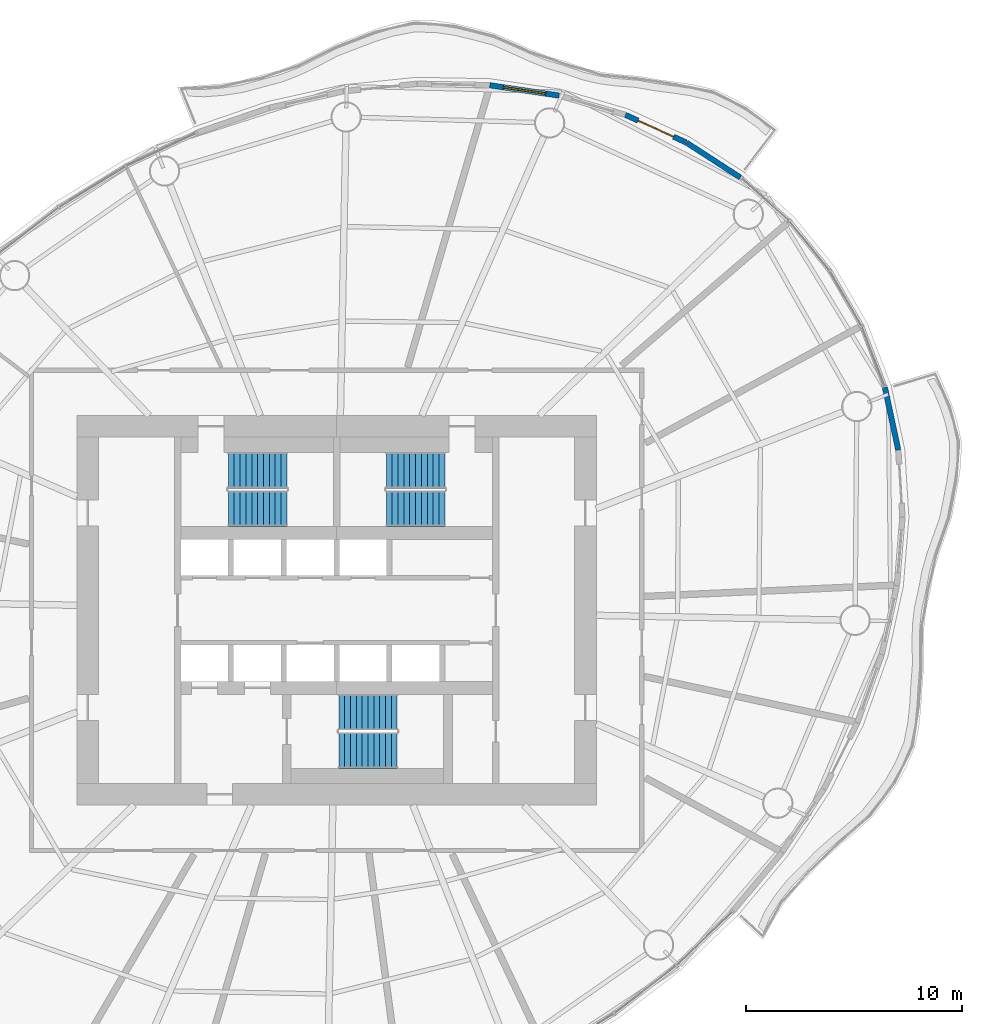
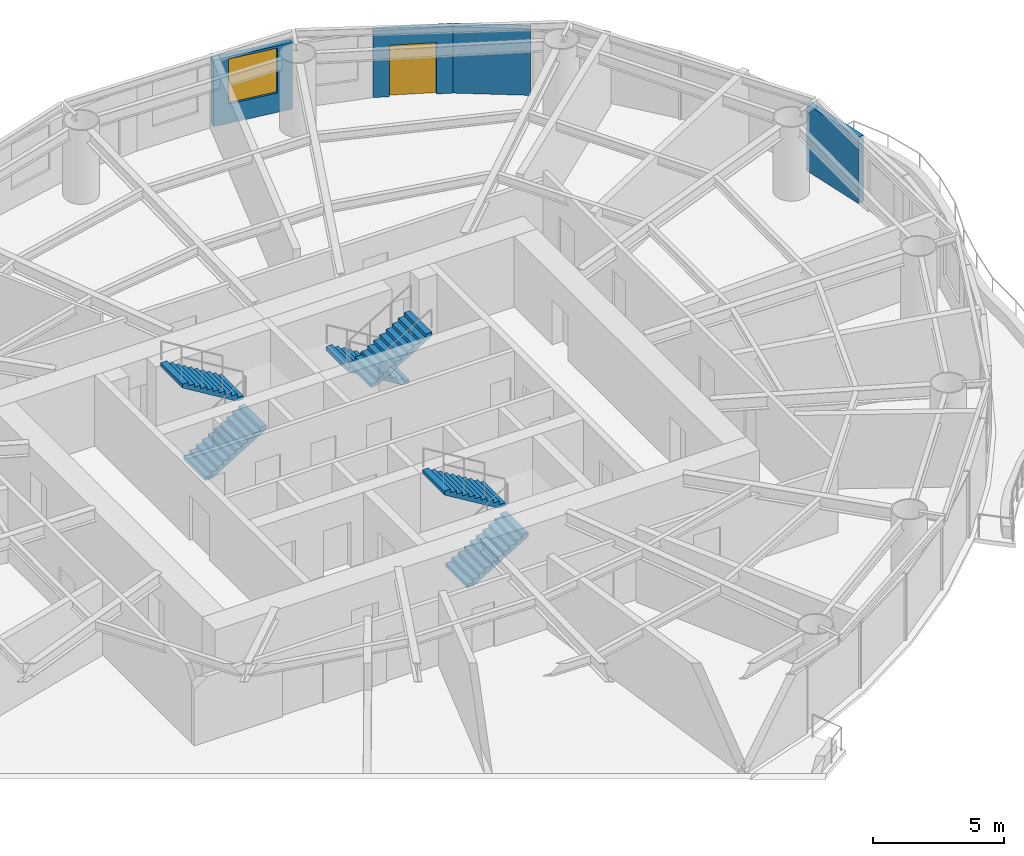
# One storey, part 11 of 14: 6 stair flights, 4 walls, 1 door, 1 window, 2 openings, 3 elements without a shape of their own.
"""IFC4 building model written with IfcOpenShell, lengths in metres."""

from ifc_helpers import new_model, si_unit, direction, frame, frame_2d, origin, place, context, subcontext, project, spatial, polyline, rectangle, outline, extrude, material, layer, layer_set, type_object, element, fill, aggregate, save


model = new_model("IFC4")

# Units and contexts
model_context = context("Model", 3, precision=1e-05, world=origin(), true_north=direction((0.0, 1.0)))
body_context = subcontext(model_context, "Body", "Model", "MODEL_VIEW")
ifc_project = project(units=[si_unit("LENGTHUNIT", "METRE"), si_unit("AREAUNIT", "SQUARE_METRE"), si_unit("VOLUMEUNIT", "CUBIC_METRE"), si_unit("PLANEANGLEUNIT", "RADIAN"), si_unit("MASSUNIT", "GRAM", prefix="KILO")], contexts=[model_context])

# Site, building, storey
site_placement = place(None, origin())
site = spatial("IfcSite", under=ifc_project, at=site_placement, CompositionType="ELEMENT")
building_placement = place(site_placement, origin())
building = spatial("IfcBuilding", under=site, at=building_placement, Name="Vermilion Reach Broadcast Tower", CompositionType="ELEMENT")
storey_placement = place(building_placement, frame((0.0, 0.0, 172.199951171875)))
storey = spatial("IfcBuildingStorey", under=building, at=storey_placement, Name="L41", CompositionType="ELEMENT", Elevation=172.199951171875)

# Wall
ifc_material_1 = material(Name="Terracotta rainscreen cladding", Category="masonry")
ifc_layer = layer(ifc_material_1, 0.25)
ifc_layer_set = layer_set([ifc_layer], Name="Terracotta rainscreen wall 250")
wall_type = type_object("IfcWallType", Name="Terracotta rainscreen wall 250", PredefinedType="SOLIDWALL", material=ifc_layer_set)
wall_1_placement = place(storey_placement, frame((12.655029296875, 20.00146484375, 0.0), z_axis=(0.0, 0.0, 1.0), x_axis=(-0.839240151474, 0.543760947617, 0.0)))
element("IfcWall", 1, at=wall_1_placement, inside=storey, type_object=wall_type, Name="External wall L41 02", PredefinedType="SOLIDWALL", context=body_context, shape_type="SweptSolid", body=[
    extrude(rectangle(XDim=2.958740234375, YDim=0.25, at=frame_2d((1.4794921875, 0.0))), origin(), (0.0, 0.0, 1.0), 3.10009765625),
])

# Wall, opening, door
wall_2_placement = place(storey_placement, frame((10.1484375, 21.623046875, 0.0), z_axis=(0.0, 0.0, 1.0), x_axis=(-0.910690505436, 0.41308934059, 0.0)))
wall_2 = element("IfcWall", 2, at=wall_2_placement, inside=storey, type_object=wall_type, Name="External wall L41 03", PredefinedType="SOLIDWALL", context=body_context, shape_type="SweptSolid", body=[
    extrude(rectangle(XDim=3.06787109375, YDim=0.25, at=frame_2d((1.533935546875, 0.0))), origin(), (0.0, 0.0, 1.0), 3.10009765625),
])
opening_1_placement = place(wall_2_placement, frame((0.634033203125, 0.0, 0.0)))
opening_1 = element("IfcOpeningElement", 3, at=opening_1_placement, cuts=wall_2, Name="Opening D70", PredefinedType="OPENING", context=body_context, shape_type="SweptSolid", body=[
    extrude(rectangle(XDim=1.800048828125, YDim=2.39990234375, at=frame_2d((0.89990234375, 1.199951171875))), frame((0.0, 0.135009765625, 0.0), z_axis=(0.0, -1.0, 0.0), x_axis=(1.0, 0.0, 0.0)), (0.0, 0.0, 1.0), 0.27001953125),
])
ifc_material_2 = material(Name="Low-e laminated clear glass in aluminium frame", Category="aluminium")
door_type = type_object("IfcDoorType", Name="Balcony sliding door 1800 x 2400", OperationType="DOUBLE_DOOR_SLIDING", PredefinedType="DOOR", material=ifc_material_2)
door_placement = place(opening_1_placement, origin())
door = element("IfcDoor", 4, at=door_placement, inside=storey, type_object=door_type, Name="Balcony door L41 run 01", OperationType="DOUBLE_DOOR_SLIDING", OverallHeight=2.39990234375, OverallWidth=1.800048828125, PredefinedType="DOOR", context=body_context, shape_type="SweptSolid", body=[
    extrude(rectangle(XDim=1.800048828125, YDim=2.39990234375, at=frame_2d((0.89990234375, 1.199951171875))), frame((0.0, 0.02490234375, 0.0), z_axis=(0.0, -1.0, 0.0), x_axis=(1.0, 0.0, 0.0)), (0.0, 0.0, 1.0), 0.050048828125),
])
fill(opening_1, door)

# Wall, opening, window
wall_3_placement = place(storey_placement, frame((4.282470703125, 23.78564453125, 0.0), z_axis=(0.0, 0.0, 1.0), x_axis=(-0.989016413264, 0.147805731605, 0.0)))
wall_3 = element("IfcWall", 5, at=wall_3_placement, inside=storey, type_object=wall_type, Name="External wall L41 05", PredefinedType="SOLIDWALL", context=body_context, shape_type="SweptSolid", body=[
    extrude(rectangle(XDim=3.237548828125, YDim=0.25, at=frame_2d((1.61865234375, 0.0))), origin(), (0.0, 0.0, 1.0), 3.10009765625),
])
opening_2_placement = place(wall_3_placement, frame((0.61865234375, 0.0, 0.89990234375)))
opening_2 = element("IfcOpeningElement", 6, at=opening_2_placement, cuts=wall_3, Name="Opening W03", PredefinedType="OPENING", context=body_context, shape_type="SweptSolid", body=[
    extrude(rectangle(XDim=2.0, YDim=2.10009765625, at=frame_2d((1.0, 1.050048828125))), frame((0.0, 0.135009765625, 0.0), z_axis=(0.0, -1.0, 0.0), x_axis=(1.0, 0.0, 0.0)), (0.0, 0.0, 1.0), 0.27001953125),
])
ifc_material_3 = material(Name="Low-e laminated clear glass in aluminium frame", Category="aluminium")
window_type = type_object("IfcWindowType", Name="Punched window 2000 x 2100 sill 900", PartitioningType="SINGLE_PANEL", PredefinedType="WINDOW", material=ifc_material_3)
window_placement = place(opening_2_placement, origin())
window = element("IfcWindow", 7, at=window_placement, inside=storey, type_object=window_type, Name="Window L41 05", OverallHeight=2.10009765625, OverallWidth=2.0, PartitioningType="SINGLE_PANEL", PredefinedType="WINDOW", context=body_context, shape_type="SweptSolid", body=[
    extrude(rectangle(XDim=2.0, YDim=2.10009765625, at=frame_2d((1.0, 1.050048828125))), frame((0.0, 0.030029296875, 0.0), z_axis=(0.0, -1.0, 0.0), x_axis=(1.0, 0.0, 0.0)), (0.0, 0.0, 1.0), 0.06005859375),
])
fill(opening_2, window)

# Wall
wall_4_placement = place(storey_placement, frame((19.954833984375, 7.40771484375, 0.0), z_axis=(0.0, 0.0, 1.0), x_axis=(-0.208841558972, 0.977949489108, 0.0)))
element("IfcWall", 8, at=wall_4_placement, inside=storey, type_object=wall_type, Name="External wall L41 45", PredefinedType="SOLIDWALL", context=body_context, shape_type="SweptSolid", body=[
    extrude(rectangle(XDim=2.958740234375, YDim=0.25, at=frame_2d((1.4794921875, 0.0))), origin(), (0.0, 0.0, 1.0), 3.10009765625),
])

# Stair, stair flights
ifc_material_4 = material(Name="Concrete C40", Category="concrete")
stair_type = type_object("IfcStairType", Name="Exit stair RC 22 risers 164 mm", PredefinedType="HALF_TURN_STAIR", material=ifc_material_4)
placement = place(storey_placement, origin())
stair_1 = element("IfcStair", 9, at=placement, inside=storey, type_object=stair_type, Name="L41 Exit stair ST1", PredefinedType="HALF_TURN_STAIR")
ifc_material_5 = material(Name="Concrete C40", Category="concrete")
stair_flight_type = type_object("IfcStairFlightType", Name="Exit stair flight RC 11 risers", PredefinedType="STRAIGHT", material=ifc_material_5)
stair_flight_1_placement = place(storey_placement, frame((-11.0, 4.7099609375, 0.0), z_axis=(0.0, 0.0, 1.0), x_axis=(1.0, 0.0, 0.0)))
stair_flight_1 = element("IfcStairFlight", 10, at=stair_flight_1_placement, type_object=stair_flight_type, Name="ST1 flight 1", NumberOfRisers=11, NumberOfTreads=10, PredefinedType="STRAIGHT", RiserHeight=0.163636364, TreadLength=0.27, context=body_context, shape_type="SweptSolid", body=[
    extrude(outline(polyline([(0.0, 0.0), (0.0, 0.16357421875), (0.27001953125, 0.16357421875), (0.27001953125, 0.327392578125), (0.5400390625, 0.327392578125), (0.5400390625, 0.490966796875), (0.81005859375, 0.490966796875), (0.81005859375, 0.654541015625), (1.080078125, 0.654541015625), (1.080078125, 0.818115234375), (1.35009765625, 0.818115234375), (1.35009765625, 0.98193359375), (1.6201171875, 0.98193359375), (1.6201171875, 1.1455078125), (1.889892578125, 1.1455078125), (1.889892578125, 1.30908203125), (2.159912109375, 1.30908203125), (2.159912109375, 1.47265625), (2.429931640625, 1.47265625), (2.429931640625, 1.636474609375), (2.699951171875, 1.636474609375), (2.699951171875, 1.800048828125), (2.699951171875, 1.461181640625), (0.289306640625, 0.0), (0.0, 0.0)])), frame((0.0, 0.830078125, 0.0), z_axis=(0.0, -1.0, 0.0), x_axis=(1.0, 0.0, 0.0)), (0.0, 0.0, 1.0), 1.659912109375),
])
stair_flight_2_placement = place(storey_placement, frame((-8.300048828125, 6.469970703125, 1.800048828125), z_axis=(0.0, 0.0, 1.0), x_axis=(-1.0, 0.0, 0.0)))
stair_flight_2 = element("IfcStairFlight", 11, at=stair_flight_2_placement, type_object=stair_flight_type, Name="ST1 flight 2", NumberOfRisers=11, NumberOfTreads=10, PredefinedType="STRAIGHT", RiserHeight=0.163636364, TreadLength=0.27, context=body_context, shape_type="SweptSolid", body=[
    extrude(outline(polyline([(0.0, 0.0), (0.0, 0.16357421875), (0.27001953125, 0.16357421875), (0.27001953125, 0.327392578125), (0.5400390625, 0.327392578125), (0.5400390625, 0.490966796875), (0.81005859375, 0.490966796875), (0.81005859375, 0.654541015625), (1.080078125, 0.654541015625), (1.080078125, 0.818115234375), (1.35009765625, 0.818115234375), (1.35009765625, 0.98193359375), (1.6201171875, 0.98193359375), (1.6201171875, 1.1455078125), (1.889892578125, 1.1455078125), (1.889892578125, 1.30908203125), (2.159912109375, 1.30908203125), (2.159912109375, 1.47265625), (2.429931640625, 1.47265625), (2.429931640625, 1.636474609375), (2.699951171875, 1.636474609375), (2.699951171875, 1.800048828125), (2.699951171875, 1.461181640625), (0.289306640625, 0.0), (0.0, 0.0)])), frame((0.0, 0.830078125, 0.0), z_axis=(0.0, -1.0, 0.0), x_axis=(1.0, 0.0, 0.0)), (0.0, 0.0, 1.0), 1.659912109375),
])
aggregate(stair_1, [stair_flight_1, stair_flight_2])

stair_2 = element("IfcStair", 12, at=placement, inside=storey, type_object=stair_type, Name="L41 Exit stair ST2", PredefinedType="HALF_TURN_STAIR")
stair_flight_3_placement = place(storey_placement, frame((-1.0, 6.469970703125, 0.0), z_axis=(0.0, 0.0, 1.0), x_axis=(-1.0, 0.0, 0.0)))
stair_flight_3 = element("IfcStairFlight", 13, at=stair_flight_3_placement, type_object=stair_flight_type, Name="ST2 flight 1", NumberOfRisers=11, NumberOfTreads=10, PredefinedType="STRAIGHT", RiserHeight=0.163636364, TreadLength=0.27, context=body_context, shape_type="SweptSolid", body=[
    extrude(outline(polyline([(0.0, 0.0), (0.0, 0.16357421875), (0.27001953125, 0.16357421875), (0.27001953125, 0.327392578125), (0.5400390625, 0.327392578125), (0.5400390625, 0.490966796875), (0.81005859375, 0.490966796875), (0.81005859375, 0.654541015625), (1.080078125, 0.654541015625), (1.080078125, 0.818115234375), (1.35009765625, 0.818115234375), (1.35009765625, 0.98193359375), (1.6201171875, 0.98193359375), (1.6201171875, 1.1455078125), (1.889892578125, 1.1455078125), (1.889892578125, 1.30908203125), (2.159912109375, 1.30908203125), (2.159912109375, 1.47265625), (2.429931640625, 1.47265625), (2.429931640625, 1.636474609375), (2.699951171875, 1.636474609375), (2.699951171875, 1.800048828125), (2.699951171875, 1.461181640625), (0.289306640625, 0.0), (0.0, 0.0)])), frame((0.0, 0.830078125, 0.0), z_axis=(0.0, -1.0, 0.0), x_axis=(1.0, 0.0, 0.0)), (0.0, 0.0, 1.0), 1.659912109375),
])
stair_flight_4_placement = place(storey_placement, frame((-3.699951171875, 4.7099609375, 1.800048828125), z_axis=(0.0, 0.0, 1.0), x_axis=(1.0, 0.0, 0.0)))
stair_flight_4 = element("IfcStairFlight", 14, at=stair_flight_4_placement, type_object=stair_flight_type, Name="ST2 flight 2", NumberOfRisers=11, NumberOfTreads=10, PredefinedType="STRAIGHT", RiserHeight=0.163636364, TreadLength=0.27, context=body_context, shape_type="SweptSolid", body=[
    extrude(outline(polyline([(0.0, 0.0), (0.0, 0.16357421875), (0.27001953125, 0.16357421875), (0.27001953125, 0.327392578125), (0.5400390625, 0.327392578125), (0.5400390625, 0.490966796875), (0.81005859375, 0.490966796875), (0.81005859375, 0.654541015625), (1.080078125, 0.654541015625), (1.080078125, 0.818115234375), (1.35009765625, 0.818115234375), (1.35009765625, 0.98193359375), (1.6201171875, 0.98193359375), (1.6201171875, 1.1455078125), (1.889892578125, 1.1455078125), (1.889892578125, 1.30908203125), (2.159912109375, 1.30908203125), (2.159912109375, 1.47265625), (2.429931640625, 1.47265625), (2.429931640625, 1.636474609375), (2.699951171875, 1.636474609375), (2.699951171875, 1.800048828125), (2.699951171875, 1.461181640625), (0.289306640625, 0.0), (0.0, 0.0)])), frame((0.0, 0.830078125, 0.0), z_axis=(0.0, -1.0, 0.0), x_axis=(1.0, 0.0, 0.0)), (0.0, 0.0, 1.0), 1.659912109375),
])
aggregate(stair_2, [stair_flight_3, stair_flight_4])

stair_3 = element("IfcStair", 15, at=placement, inside=storey, type_object=stair_type, Name="L41 Exit stair ST3", PredefinedType="HALF_TURN_STAIR")
stair_flight_5_placement = place(storey_placement, frame((-5.89990234375, -6.469970703125, 0.0), z_axis=(0.0, 0.0, 1.0), x_axis=(1.0, 0.0, 0.0)))
stair_flight_5 = element("IfcStairFlight", 16, at=stair_flight_5_placement, type_object=stair_flight_type, Name="ST3 flight 1", NumberOfRisers=11, NumberOfTreads=10, PredefinedType="STRAIGHT", RiserHeight=0.163636364, TreadLength=0.27, context=body_context, shape_type="SweptSolid", body=[
    extrude(outline(polyline([(0.0, 0.0), (0.0, 0.16357421875), (0.27001953125, 0.16357421875), (0.27001953125, 0.327392578125), (0.5400390625, 0.327392578125), (0.5400390625, 0.490966796875), (0.81005859375, 0.490966796875), (0.81005859375, 0.654541015625), (1.080078125, 0.654541015625), (1.080078125, 0.818115234375), (1.35009765625, 0.818115234375), (1.35009765625, 0.98193359375), (1.6201171875, 0.98193359375), (1.6201171875, 1.1455078125), (1.889892578125, 1.1455078125), (1.889892578125, 1.30908203125), (2.159912109375, 1.30908203125), (2.159912109375, 1.47265625), (2.429931640625, 1.47265625), (2.429931640625, 1.636474609375), (2.699951171875, 1.636474609375), (2.699951171875, 1.800048828125), (2.699951171875, 1.461181640625), (0.289306640625, 0.0), (0.0, 0.0)])), frame((0.0, 0.830078125, 0.0), z_axis=(0.0, -1.0, 0.0), x_axis=(1.0, 0.0, 0.0)), (0.0, 0.0, 1.0), 1.659912109375),
])
stair_flight_6_placement = place(storey_placement, frame((-3.199951171875, -4.7099609375, 1.800048828125), z_axis=(0.0, 0.0, 1.0), x_axis=(-1.0, 0.0, 0.0)))
stair_flight_6 = element("IfcStairFlight", 17, at=stair_flight_6_placement, type_object=stair_flight_type, Name="ST3 flight 2", NumberOfRisers=11, NumberOfTreads=10, PredefinedType="STRAIGHT", RiserHeight=0.163636364, TreadLength=0.27, context=body_context, shape_type="SweptSolid", body=[
    extrude(outline(polyline([(0.0, 0.0), (0.0, 0.16357421875), (0.27001953125, 0.16357421875), (0.27001953125, 0.327392578125), (0.5400390625, 0.327392578125), (0.5400390625, 0.490966796875), (0.81005859375, 0.490966796875), (0.81005859375, 0.654541015625), (1.080078125, 0.654541015625), (1.080078125, 0.818115234375), (1.35009765625, 0.818115234375), (1.35009765625, 0.98193359375), (1.6201171875, 0.98193359375), (1.6201171875, 1.1455078125), (1.889892578125, 1.1455078125), (1.889892578125, 1.30908203125), (2.159912109375, 1.30908203125), (2.159912109375, 1.47265625), (2.429931640625, 1.47265625), (2.429931640625, 1.636474609375), (2.699951171875, 1.636474609375), (2.699951171875, 1.800048828125), (2.699951171875, 1.461181640625), (0.289306640625, 0.0), (0.0, 0.0)])), frame((0.0, 0.830078125, 0.0), z_axis=(0.0, -1.0, 0.0), x_axis=(1.0, 0.0, 0.0)), (0.0, 0.0, 1.0), 1.659912109375),
])
aggregate(stair_3, [stair_flight_5, stair_flight_6])

save(model, "model.ifc")
